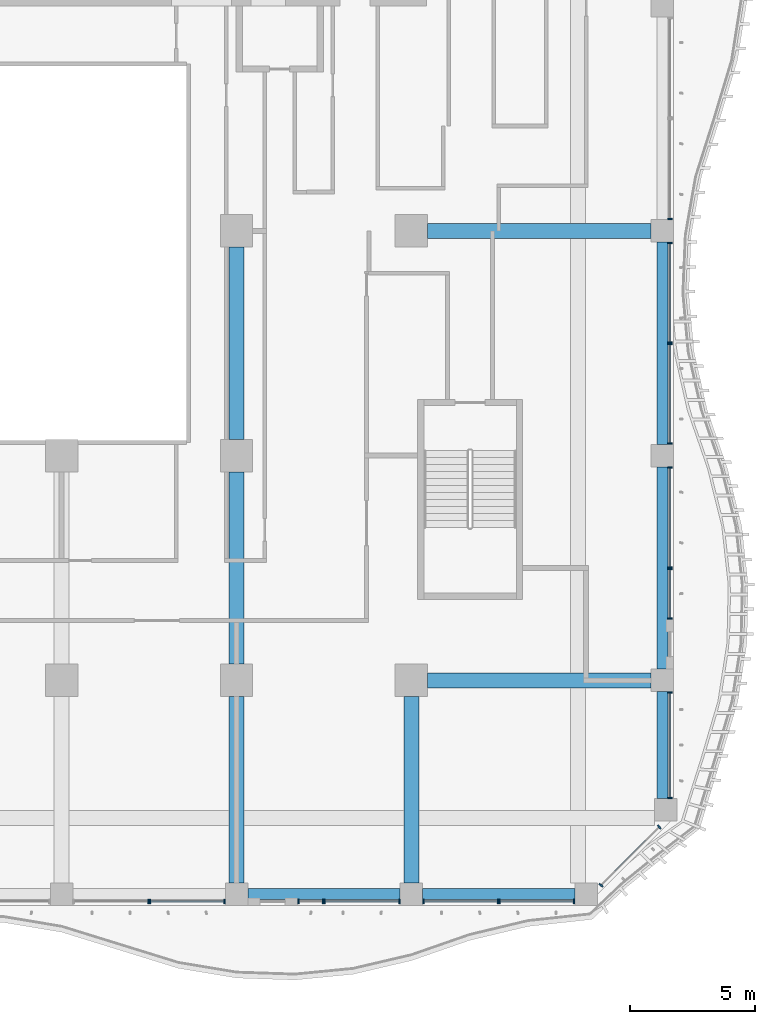
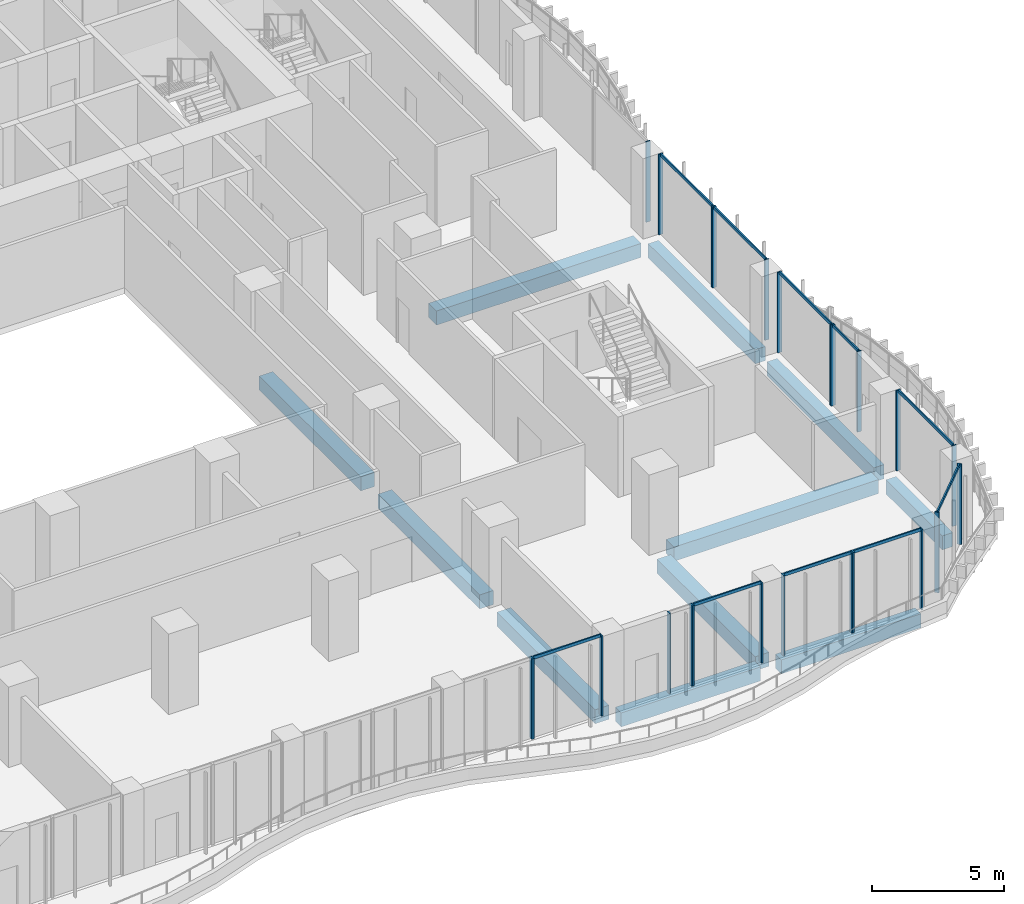
# One storey, part 6 of 27: 34 members, 11 beams, 13 elements without a shape of their own.
"""IFC4 building model written with IfcOpenShell, lengths in metres."""

from ifc_helpers import new_model, si_unit, direction, frame, origin, origin_2d, place, context, subcontext, project, spatial, rectangle, extrude, source, transform, mapped, material, material_profile, profile_set, type_object, element, aggregate, save


model = new_model("IFC4")

# Units and contexts
model_context = context("Model", 3, precision=1e-05, world=origin(), true_north=direction((0.0, 1.0)))
body_context = subcontext(model_context, "Body", "Model", "MODEL_VIEW")
ifc_project = project(units=[si_unit("LENGTHUNIT", "METRE"), si_unit("AREAUNIT", "SQUARE_METRE"), si_unit("VOLUMEUNIT", "CUBIC_METRE"), si_unit("PLANEANGLEUNIT", "RADIAN"), si_unit("MASSUNIT", "GRAM", prefix="KILO")], contexts=[model_context])

# Site, building, storey
site_placement = place(None, origin())
site = spatial("IfcSite", under=ifc_project, at=site_placement, CompositionType="ELEMENT")
building_placement = place(site_placement, origin())
building = spatial("IfcBuilding", under=site, at=building_placement, Name="Kilnfold Tower and Market Hall", CompositionType="ELEMENT")
storey_placement = place(building_placement, frame((0.0, 0.0, 43.0)))
storey = spatial("IfcBuildingStorey", under=building, at=storey_placement, Name="L09", CompositionType="ELEMENT", Elevation=43.0)

# Beams
ifc_material_1 = material(Name="Concrete C45", Category="concrete")
ifc_material_profile_1 = material_profile(ifc_material_1, rectangle(XDim=0.449951171875, YDim=0.64990234375, at=origin_2d()), Name="RC 450x650")
ifc_profile_set_1 = profile_set([ifc_material_profile_1], Name="Concrete C45")
beam_type_1 = type_object("IfcBeamType", Name="EDGE BEAM 450X650 C45", PredefinedType="BEAM", material=ifc_profile_set_1)
shared_shape_1 = source(origin(), body_context, "Body", "SweptSolid", [
    extrude(rectangle(XDim=0.449951171875, YDim=0.64990234375, at=origin_2d()), origin(), (0.0, 0.0, 1.0), 6.10009765625),
])
for number, where, z_axis, x_axis, name in (
    (1, (10.949951171875, -27.550048828125, -0.60498046875), (1.0, 0.0, 0.0), (0.0, 1.0, 0.0), "Beam EB650-B1.5"),
    (2, (17.949951171875, -27.550048828125, -0.60498046875), (1.0, 0.0, 0.0), (0.0, 1.0, 0.0), "Beam EB650-B1.6"),
):
    element("IfcBeam", number, at=place(storey_placement, frame(where, z_axis=z_axis, x_axis=x_axis)), inside=storey, type_object=beam_type_1, Name=name, PredefinedType="BEAM", context=body_context, shape_type="MappedRepresentation", body=[
        mapped(shared_shape_1, transform((0.0, 0.0, 0.0))),
    ])
ifc_material_2 = material(Name="Concrete C45", Category="concrete")
ifc_material_profile_2 = material_profile(ifc_material_2, rectangle(XDim=0.60009765625, YDim=0.64990234375, at=origin_2d()), Name="RC 600x650")
ifc_profile_set_2 = profile_set([ifc_material_profile_2], Name="Concrete C45")
beam_type_2 = type_object("IfcBeamType", Name="BEAM 600X650 C45", PredefinedType="BEAM", material=ifc_profile_set_2)
shared_shape_2 = source(origin(), body_context, "Body", "SweptSolid", [
    extrude(rectangle(XDim=0.60009765625, YDim=0.64990234375, at=origin_2d()), origin(), (0.0, 0.0, 1.0), 8.9501953125),
])
for number, where, z_axis, x_axis, name in (
    (3, (18.14990234375, -19.0, -0.60498046875), (1.0, 0.0, 0.0), (0.0, 1.0, 0.0), "Beam BB650-B1.12"),
    (4, (18.14990234375, -1.0, -0.60498046875), (1.0, 0.0, 0.0), (0.0, 1.0, 0.0), "Beam BB650-B1.20"),
):
    element("IfcBeam", number, at=place(storey_placement, frame(where, z_axis=z_axis, x_axis=x_axis)), inside=storey, type_object=beam_type_2, Name=name, PredefinedType="BEAM", context=body_context, shape_type="MappedRepresentation", body=[
        mapped(shared_shape_2, transform((0.0, 0.0, 0.0))),
    ])
shared_shape_3 = source(origin(), body_context, "Body", "SweptSolid", [
    extrude(rectangle(XDim=0.449951171875, YDim=0.64990234375, at=origin_2d()), origin(), (0.0, 0.0, 1.0), 8.10009765625),
])
for number, where, z_axis, x_axis, name in (
    (5, (27.550048828125, -18.550048828125, -0.60498046875), (0.0, 1.0, 0.0), (-1.0, 0.0, 0.0), "Beam EB650-B1.52"),
    (6, (27.550048828125, -9.550048828125, -0.60498046875), (0.0, 1.0, 0.0), (-1.0, 0.0, 0.0), "Beam EB650-B1.58"),
):
    element("IfcBeam", number, at=place(storey_placement, frame(where, z_axis=z_axis, x_axis=x_axis)), inside=storey, type_object=beam_type_1, Name=name, PredefinedType="BEAM", context=body_context, shape_type="MappedRepresentation", body=[
        mapped(shared_shape_3, transform((0.0, 0.0, 0.0))),
    ])
shared_shape_4 = source(origin(), body_context, "Body", "SweptSolid", [
    extrude(rectangle(XDim=0.60009765625, YDim=0.64990234375, at=origin_2d()), origin(), (0.0, 0.0, 1.0), 7.4501953125),
])
for number, where, z_axis, x_axis, name in (
    (7, (10.5, -27.10009765625, -0.60498046875), (0.0, 1.0, 0.0), (-1.0, 0.0, 0.0), "Beam BB650-B1.47"),
    (8, (17.5, -27.10009765625, -0.60498046875), (0.0, 1.0, 0.0), (-1.0, 0.0, 0.0), "Beam BB650-B1.50"),
):
    element("IfcBeam", number, at=place(storey_placement, frame(where, z_axis=z_axis, x_axis=x_axis)), inside=storey, type_object=beam_type_2, Name=name, PredefinedType="BEAM", context=body_context, shape_type="MappedRepresentation", body=[
        mapped(shared_shape_4, transform((0.0, 0.0, 0.0))),
    ])
shared_shape_5 = source(origin(), body_context, "Body", "SweptSolid", [
    extrude(rectangle(XDim=0.60009765625, YDim=0.64990234375, at=origin_2d()), origin(), (0.0, 0.0, 1.0), 7.7001953125),
])
for number, where, z_axis, x_axis, name in (
    (9, (10.5, -18.35009765625, -0.60498046875), (0.0, 1.0, 0.0), (-1.0, 0.0, 0.0), "Beam BB650-B1.48"),
    (10, (10.5, -9.35009765625, -0.60498046875), (0.0, 1.0, 0.0), (-1.0, 0.0, 0.0), "Beam BB650-B1.49"),
):
    element("IfcBeam", number, at=place(storey_placement, frame(where, z_axis=z_axis, x_axis=x_axis)), inside=storey, type_object=beam_type_2, Name=name, PredefinedType="BEAM", context=body_context, shape_type="MappedRepresentation", body=[
        mapped(shared_shape_5, transform((0.0, 0.0, 0.0))),
    ])
shared_shape_6 = source(origin(), body_context, "Body", "SweptSolid", [
    extrude(rectangle(XDim=0.449951171875, YDim=0.64990234375, at=origin_2d()), origin(), (0.0, 0.0, 1.0), 4.28173828125),
])
beam_placement = place(storey_placement, frame((27.550048828125, -23.731689453125, -0.60498046875), z_axis=(0.0, 1.0, 0.0), x_axis=(-1.0, 0.0, 0.0)))
element("IfcBeam", 11, at=beam_placement, inside=storey, type_object=beam_type_1, Name="Beam EB650-B1.51", PredefinedType="BEAM", context=body_context, shape_type="MappedRepresentation", body=[
    mapped(shared_shape_6, transform((0.0, 0.0, 0.0))),
])

# Curtain wall, member
ifc_material_3 = material(Name="Aluminium and double glazing", Category="aluminium")
curtain_wall_type = type_object("IfcCurtainWallType", Name="CW OF1 VALLEY GLAZING", PredefinedType="NOTDEFINED", material=ifc_material_3)
curtain_wall_1_placement = place(storey_placement, origin())
curtain_wall_1 = element("IfcCurtainWall", 12, at=curtain_wall_1_placement, inside=storey, type_object=curtain_wall_type, Name="Curtain wall CW1 L09 S", PredefinedType="NOTDEFINED")
ifc_material_4 = material(Name="Aluminium", Category="aluminium")
ifc_material_profile_3 = material_profile(ifc_material_4, rectangle(XDim=0.06005859375, YDim=0.179931640625, at=origin_2d()), Name="MULLION 60x180")
ifc_profile_set_3 = profile_set([ifc_material_profile_3], Name="Aluminium")
member_type_1 = type_object("IfcMemberType", Name="MULLION 60X180", PredefinedType="MULLION", material=ifc_profile_set_3)
shared_shape_7 = source(origin(), body_context, "Body", "SweptSolid", [
    extrude(rectangle(XDim=0.06005859375, YDim=0.179931640625, at=origin_2d()), origin(), (0.0, 0.0, 1.0), 3.719970703125),
])
member_1_placement = place(storey_placement, frame((6.969970703125, -27.85009765625, 0.0), z_axis=(0.0, 0.0, 1.0), x_axis=(1.0, 0.0, 0.0)))
member_1 = element("IfcMember", 13, at=member_1_placement, type_object=member_type_1, Name="CW1 mullion 2", PredefinedType="MULLION", context=body_context, shape_type="MappedRepresentation", body=[
    mapped(shared_shape_7, transform((0.0, 0.0, 0.0))),
])
aggregate(curtain_wall_1, [member_1])

# Curtain wall, members
curtain_wall_2_placement = place(storey_placement, origin())
curtain_wall_2 = element("IfcCurtainWall", 14, at=curtain_wall_2_placement, inside=storey, type_object=curtain_wall_type, Name="Curtain wall CW1 L09 S", PredefinedType="NOTDEFINED")
member_2_placement = place(storey_placement, frame((7.030029296875, -27.85009765625, 0.0), z_axis=(0.0, 0.0, 1.0), x_axis=(1.0, 0.0, 0.0)))
member_2 = element("IfcMember", 15, at=member_2_placement, type_object=member_type_1, Name="CW1 mullion 1", PredefinedType="MULLION", context=body_context, shape_type="MappedRepresentation", body=[
    mapped(shared_shape_7, transform((0.0, 0.0, 0.0))),
])
member_3_placement = place(storey_placement, frame((10.02001953125, -27.85009765625, 0.0), z_axis=(0.0, 0.0, 1.0), x_axis=(1.0, 0.0, 0.0)))
member_3 = element("IfcMember", 16, at=member_3_placement, type_object=member_type_1, Name="CW1 mullion 2", PredefinedType="MULLION", context=body_context, shape_type="MappedRepresentation", body=[
    mapped(shared_shape_7, transform((0.0, 0.0, 0.0))),
])

curtain_wall_3_placement = place(storey_placement, origin())
curtain_wall_3 = element("IfcCurtainWall", 17, at=curtain_wall_3_placement, inside=storey, type_object=curtain_wall_type, Name="Curtain wall CW1 L09 S", PredefinedType="NOTDEFINED")
member_4_placement = place(storey_placement, frame((12.97998046875, -27.85009765625, 0.0), z_axis=(0.0, 0.0, 1.0), x_axis=(1.0, 0.0, 0.0)))
member_4 = element("IfcMember", 18, at=member_4_placement, type_object=member_type_1, Name="CW1 mullion 1", PredefinedType="MULLION", context=body_context, shape_type="MappedRepresentation", body=[
    mapped(shared_shape_7, transform((0.0, 0.0, 0.0))),
])
member_5_placement = place(storey_placement, frame((13.969970703125, -27.85009765625, 0.0), z_axis=(0.0, 0.0, 1.0), x_axis=(1.0, 0.0, 0.0)))
member_5 = element("IfcMember", 19, at=member_5_placement, type_object=member_type_1, Name="CW1 mullion 2", PredefinedType="MULLION", context=body_context, shape_type="MappedRepresentation", body=[
    mapped(shared_shape_7, transform((0.0, 0.0, 0.0))),
])
aggregate(curtain_wall_3, [member_4, member_5])

curtain_wall_4_placement = place(storey_placement, origin())
curtain_wall_4 = element("IfcCurtainWall", 20, at=curtain_wall_4_placement, inside=storey, type_object=curtain_wall_type, Name="Curtain wall CW1 L09 S", PredefinedType="NOTDEFINED")
member_6_placement = place(storey_placement, frame((14.030029296875, -27.85009765625, 0.0), z_axis=(0.0, 0.0, 1.0), x_axis=(1.0, 0.0, 0.0)))
member_6 = element("IfcMember", 21, at=member_6_placement, type_object=member_type_1, Name="CW1 mullion 1", PredefinedType="MULLION", context=body_context, shape_type="MappedRepresentation", body=[
    mapped(shared_shape_7, transform((0.0, 0.0, 0.0))),
])
member_7_placement = place(storey_placement, frame((17.02001953125, -27.85009765625, 0.0), z_axis=(0.0, 0.0, 1.0), x_axis=(1.0, 0.0, 0.0)))
member_7 = element("IfcMember", 22, at=member_7_placement, type_object=member_type_1, Name="CW1 mullion 2", PredefinedType="MULLION", context=body_context, shape_type="MappedRepresentation", body=[
    mapped(shared_shape_7, transform((0.0, 0.0, 0.0))),
])

curtain_wall_5_placement = place(storey_placement, origin())
curtain_wall_5 = element("IfcCurtainWall", 23, at=curtain_wall_5_placement, inside=storey, type_object=curtain_wall_type, Name="Curtain wall CW1 L09 S", PredefinedType="NOTDEFINED")
member_8_placement = place(storey_placement, frame((17.97998046875, -27.85009765625, 0.0), z_axis=(0.0, 0.0, 1.0), x_axis=(1.0, 0.0, 0.0)))
member_8 = element("IfcMember", 24, at=member_8_placement, type_object=member_type_1, Name="CW1 mullion 1", PredefinedType="MULLION", context=body_context, shape_type="MappedRepresentation", body=[
    mapped(shared_shape_7, transform((0.0, 0.0, 0.0))),
])
member_9_placement = place(storey_placement, frame((20.969970703125, -27.85009765625, 0.0), z_axis=(0.0, 0.0, 1.0), x_axis=(1.0, 0.0, 0.0)))
member_9 = element("IfcMember", 25, at=member_9_placement, type_object=member_type_1, Name="CW1 mullion 2", PredefinedType="MULLION", context=body_context, shape_type="MappedRepresentation", body=[
    mapped(shared_shape_7, transform((0.0, 0.0, 0.0))),
])

curtain_wall_6_placement = place(storey_placement, origin())
curtain_wall_6 = element("IfcCurtainWall", 26, at=curtain_wall_6_placement, inside=storey, type_object=curtain_wall_type, Name="Curtain wall CW1 L09 S", PredefinedType="NOTDEFINED")
member_10_placement = place(storey_placement, frame((21.030029296875, -27.85009765625, 0.0), z_axis=(0.0, 0.0, 1.0), x_axis=(1.0, 0.0, 0.0)))
member_10 = element("IfcMember", 27, at=member_10_placement, type_object=member_type_1, Name="CW1 mullion 1", PredefinedType="MULLION", context=body_context, shape_type="MappedRepresentation", body=[
    mapped(shared_shape_7, transform((0.0, 0.0, 0.0))),
])
member_11_placement = place(storey_placement, frame((24.02001953125, -27.85009765625, 0.0), z_axis=(0.0, 0.0, 1.0), x_axis=(1.0, 0.0, 0.0)))
member_11 = element("IfcMember", 28, at=member_11_placement, type_object=member_type_1, Name="CW1 mullion 2", PredefinedType="MULLION", context=body_context, shape_type="MappedRepresentation", body=[
    mapped(shared_shape_7, transform((0.0, 0.0, 0.0))),
])

curtain_wall_7_placement = place(storey_placement, origin())
curtain_wall_7 = element("IfcCurtainWall", 29, at=curtain_wall_7_placement, inside=storey, type_object=curtain_wall_type, Name="Curtain wall CW1 L09 SE", PredefinedType="NOTDEFINED")
member_12_placement = place(storey_placement, frame((25.090087890625, -27.19775390625, 0.0), z_axis=(0.0, 0.0, 1.0), x_axis=(0.707121667181, 0.707091894879, 0.0)))
member_12 = element("IfcMember", 30, at=member_12_placement, type_object=member_type_1, Name="CW1 mullion 1", PredefinedType="MULLION", context=body_context, shape_type="MappedRepresentation", body=[
    mapped(shared_shape_7, transform((0.0, 0.0, 0.0))),
])
member_13_placement = place(storey_placement, frame((27.4228515625, -24.865234375, 0.0), z_axis=(0.0, 0.0, 1.0), x_axis=(0.707121667181, 0.707091894879, 0.0)))
member_13 = element("IfcMember", 31, at=member_13_placement, type_object=member_type_1, Name="CW1 mullion 2", PredefinedType="MULLION", context=body_context, shape_type="MappedRepresentation", body=[
    mapped(shared_shape_7, transform((0.0, 0.0, 0.0))),
])

curtain_wall_8_placement = place(storey_placement, origin())
curtain_wall_8 = element("IfcCurtainWall", 32, at=curtain_wall_8_placement, inside=storey, type_object=curtain_wall_type, Name="Curtain wall CW1 L09 E", PredefinedType="NOTDEFINED")
member_14_placement = place(storey_placement, frame((27.85009765625, -23.701904296875, 0.0), z_axis=(0.0, 0.0, 1.0), x_axis=(0.0, 1.0, 0.0)))
member_14 = element("IfcMember", 33, at=member_14_placement, type_object=member_type_1, Name="CW1 mullion 1", PredefinedType="MULLION", context=body_context, shape_type="MappedRepresentation", body=[
    mapped(shared_shape_7, transform((0.0, 0.0, 0.0))),
])
member_15_placement = place(storey_placement, frame((27.85009765625, -19.47998046875, 0.0), z_axis=(0.0, 0.0, 1.0), x_axis=(0.0, 1.0, 0.0)))
member_15 = element("IfcMember", 34, at=member_15_placement, type_object=member_type_1, Name="CW1 mullion 2", PredefinedType="MULLION", context=body_context, shape_type="MappedRepresentation", body=[
    mapped(shared_shape_7, transform((0.0, 0.0, 0.0))),
])

curtain_wall_9_placement = place(storey_placement, origin())
curtain_wall_9 = element("IfcCurtainWall", 35, at=curtain_wall_9_placement, inside=storey, type_object=curtain_wall_type, Name="Curtain wall CW1 L09 E", PredefinedType="NOTDEFINED")
member_16_placement = place(storey_placement, frame((27.85009765625, -16.52001953125, 0.0), z_axis=(0.0, 0.0, 1.0), x_axis=(0.0, 1.0, 0.0)))
member_16 = element("IfcMember", 36, at=member_16_placement, type_object=member_type_1, Name="CW1 mullion 1", PredefinedType="MULLION", context=body_context, shape_type="MappedRepresentation", body=[
    mapped(shared_shape_7, transform((0.0, 0.0, 0.0))),
])
member_17_placement = place(storey_placement, frame((27.85009765625, -14.530029296875, 0.0), z_axis=(0.0, 0.0, 1.0), x_axis=(0.0, 1.0, 0.0)))
member_17 = element("IfcMember", 37, at=member_17_placement, type_object=member_type_1, Name="CW1 mullion 2", PredefinedType="MULLION", context=body_context, shape_type="MappedRepresentation", body=[
    mapped(shared_shape_7, transform((0.0, 0.0, 0.0))),
])

curtain_wall_10_placement = place(storey_placement, origin())
curtain_wall_10 = element("IfcCurtainWall", 38, at=curtain_wall_10_placement, inside=storey, type_object=curtain_wall_type, Name="Curtain wall CW1 L09 E", PredefinedType="NOTDEFINED")
member_18_placement = place(storey_placement, frame((27.85009765625, -14.469970703125, 0.0), z_axis=(0.0, 0.0, 1.0), x_axis=(0.0, 1.0, 0.0)))
member_18 = element("IfcMember", 39, at=member_18_placement, type_object=member_type_1, Name="CW1 mullion 1", PredefinedType="MULLION", context=body_context, shape_type="MappedRepresentation", body=[
    mapped(shared_shape_7, transform((0.0, 0.0, 0.0))),
])
member_19_placement = place(storey_placement, frame((27.85009765625, -10.47998046875, 0.0), z_axis=(0.0, 0.0, 1.0), x_axis=(0.0, 1.0, 0.0)))
member_19 = element("IfcMember", 40, at=member_19_placement, type_object=member_type_1, Name="CW1 mullion 2", PredefinedType="MULLION", context=body_context, shape_type="MappedRepresentation", body=[
    mapped(shared_shape_7, transform((0.0, 0.0, 0.0))),
])

curtain_wall_11_placement = place(storey_placement, origin())
curtain_wall_11 = element("IfcCurtainWall", 41, at=curtain_wall_11_placement, inside=storey, type_object=curtain_wall_type, Name="Curtain wall CW1 L09 E", PredefinedType="NOTDEFINED")
member_20_placement = place(storey_placement, frame((27.85009765625, -9.52001953125, 0.0), z_axis=(0.0, 0.0, 1.0), x_axis=(0.0, 1.0, 0.0)))
member_20 = element("IfcMember", 42, at=member_20_placement, type_object=member_type_1, Name="CW1 mullion 1", PredefinedType="MULLION", context=body_context, shape_type="MappedRepresentation", body=[
    mapped(shared_shape_7, transform((0.0, 0.0, 0.0))),
])
member_21_placement = place(storey_placement, frame((27.85009765625, -5.530029296875, 0.0), z_axis=(0.0, 0.0, 1.0), x_axis=(0.0, 1.0, 0.0)))
member_21 = element("IfcMember", 43, at=member_21_placement, type_object=member_type_1, Name="CW1 mullion 2", PredefinedType="MULLION", context=body_context, shape_type="MappedRepresentation", body=[
    mapped(shared_shape_7, transform((0.0, 0.0, 0.0))),
])

curtain_wall_12_placement = place(storey_placement, origin())
curtain_wall_12 = element("IfcCurtainWall", 44, at=curtain_wall_12_placement, inside=storey, type_object=curtain_wall_type, Name="Curtain wall CW1 L09 E", PredefinedType="NOTDEFINED")
member_22_placement = place(storey_placement, frame((27.85009765625, -5.469970703125, 0.0), z_axis=(0.0, 0.0, 1.0), x_axis=(0.0, 1.0, 0.0)))
member_22 = element("IfcMember", 45, at=member_22_placement, type_object=member_type_1, Name="CW1 mullion 1", PredefinedType="MULLION", context=body_context, shape_type="MappedRepresentation", body=[
    mapped(shared_shape_7, transform((0.0, 0.0, 0.0))),
])
member_23_placement = place(storey_placement, frame((27.85009765625, -1.47998046875, 0.0), z_axis=(0.0, 0.0, 1.0), x_axis=(0.0, 1.0, 0.0)))
member_23 = element("IfcMember", 46, at=member_23_placement, type_object=member_type_1, Name="CW1 mullion 2", PredefinedType="MULLION", context=body_context, shape_type="MappedRepresentation", body=[
    mapped(shared_shape_7, transform((0.0, 0.0, 0.0))),
])

# Curtain wall, member
curtain_wall_13_placement = place(storey_placement, origin())
curtain_wall_13 = element("IfcCurtainWall", 47, at=curtain_wall_13_placement, inside=storey, type_object=curtain_wall_type, Name="Curtain wall CW1 L09 E", PredefinedType="NOTDEFINED")
member_24_placement = place(storey_placement, frame((27.85009765625, -0.52001953125, 0.0), z_axis=(0.0, 0.0, 1.0), x_axis=(0.0, 1.0, 0.0)))
member_24 = element("IfcMember", 48, at=member_24_placement, type_object=member_type_1, Name="CW1 mullion 1", PredefinedType="MULLION", context=body_context, shape_type="MappedRepresentation", body=[
    mapped(shared_shape_7, transform((0.0, 0.0, 0.0))),
])
aggregate(curtain_wall_13, [member_24])

# Member
ifc_material_5 = material(Name="Aluminium", Category="aluminium")
ifc_material_profile_4 = material_profile(ifc_material_5, rectangle(XDim=0.06005859375, YDim=0.139892578125, at=origin_2d()), Name="TRANSOM 60x140")
ifc_profile_set_4 = profile_set([ifc_material_profile_4], Name="Aluminium")
member_type_2 = type_object("IfcMemberType", Name="TRANSOM 60X140", PredefinedType="USERDEFINED", material=ifc_profile_set_4)
shared_shape_8 = source(origin(), body_context, "Body", "SweptSolid", [
    extrude(rectangle(XDim=0.06005859375, YDim=0.139892578125, at=origin_2d()), origin(), (0.0, 0.0, 1.0), 2.929931640625),
])
member_25_placement = place(storey_placement, frame((7.06005859375, -27.85009765625, 3.68994140625), z_axis=(1.0, 0.0, 0.0), x_axis=(0.0, 1.0, 0.0)))
member_25 = element("IfcMember", 49, at=member_25_placement, type_object=member_type_2, Name="CW1 transom 1.2", ObjectType="TRANSOM", PredefinedType="USERDEFINED", context=body_context, shape_type="MappedRepresentation", body=[
    mapped(shared_shape_8, transform((0.0, 0.0, 0.0))),
])

aggregate(curtain_wall_2, [member_2, member_3, member_25])

member_26_placement = place(storey_placement, frame((14.06005859375, -27.85009765625, 3.68994140625), z_axis=(1.0, 0.0, 0.0), x_axis=(0.0, 1.0, 0.0)))
member_26 = element("IfcMember", 50, at=member_26_placement, type_object=member_type_2, Name="CW1 transom 1.2", ObjectType="TRANSOM", PredefinedType="USERDEFINED", context=body_context, shape_type="MappedRepresentation", body=[
    mapped(shared_shape_8, transform((0.0, 0.0, 0.0))),
])

aggregate(curtain_wall_4, [member_6, member_7, member_26])

member_27_placement = place(storey_placement, frame((18.010009765625, -27.85009765625, 3.68994140625), z_axis=(1.0, 0.0, 0.0), x_axis=(0.0, 1.0, 0.0)))
member_27 = element("IfcMember", 51, at=member_27_placement, type_object=member_type_2, Name="CW1 transom 1.2", ObjectType="TRANSOM", PredefinedType="USERDEFINED", context=body_context, shape_type="MappedRepresentation", body=[
    mapped(shared_shape_8, transform((0.0, 0.0, 0.0))),
])

aggregate(curtain_wall_5, [member_8, member_9, member_27])

member_28_placement = place(storey_placement, frame((21.06005859375, -27.85009765625, 3.68994140625), z_axis=(1.0, 0.0, 0.0), x_axis=(0.0, 1.0, 0.0)))
member_28 = element("IfcMember", 52, at=member_28_placement, type_object=member_type_2, Name="CW1 transom 1.2", ObjectType="TRANSOM", PredefinedType="USERDEFINED", context=body_context, shape_type="MappedRepresentation", body=[
    mapped(shared_shape_8, transform((0.0, 0.0, 0.0))),
])

aggregate(curtain_wall_6, [member_10, member_11, member_28])

shared_shape_9 = source(origin(), body_context, "Body", "SweptSolid", [
    extrude(rectangle(XDim=0.06005859375, YDim=0.139892578125, at=origin_2d()), origin(), (0.0, 0.0, 1.0), 3.929931640625),
])
member_29_placement = place(storey_placement, frame((27.85009765625, -14.43994140625, 3.68994140625), z_axis=(0.0, 1.0, 0.0), x_axis=(-1.0, 0.0, 0.0)))
member_29 = element("IfcMember", 53, at=member_29_placement, type_object=member_type_2, Name="CW1 transom 1.2", ObjectType="TRANSOM", PredefinedType="USERDEFINED", context=body_context, shape_type="MappedRepresentation", body=[
    mapped(shared_shape_9, transform((0.0, 0.0, 0.0))),
])

aggregate(curtain_wall_10, [member_18, member_19, member_29])

member_30_placement = place(storey_placement, frame((27.85009765625, -9.489990234375, 3.68994140625), z_axis=(0.0, 1.0, 0.0), x_axis=(-1.0, 0.0, 0.0)))
member_30 = element("IfcMember", 54, at=member_30_placement, type_object=member_type_2, Name="CW1 transom 1.2", ObjectType="TRANSOM", PredefinedType="USERDEFINED", context=body_context, shape_type="MappedRepresentation", body=[
    mapped(shared_shape_9, transform((0.0, 0.0, 0.0))),
])

aggregate(curtain_wall_11, [member_20, member_21, member_30])

member_31_placement = place(storey_placement, frame((27.85009765625, -5.43994140625, 3.68994140625), z_axis=(0.0, 1.0, 0.0), x_axis=(-1.0, 0.0, 0.0)))
member_31 = element("IfcMember", 55, at=member_31_placement, type_object=member_type_2, Name="CW1 transom 1.2", ObjectType="TRANSOM", PredefinedType="USERDEFINED", context=body_context, shape_type="MappedRepresentation", body=[
    mapped(shared_shape_9, transform((0.0, 0.0, 0.0))),
])

aggregate(curtain_wall_12, [member_22, member_23, member_31])

shared_shape_10 = source(origin(), body_context, "Body", "SweptSolid", [
    extrude(rectangle(XDim=0.06005859375, YDim=0.139892578125, at=origin_2d()), origin(), (0.0, 0.0, 1.0), 1.929931640625),
])
member_32_placement = place(storey_placement, frame((27.85009765625, -16.489990234375, 3.68994140625), z_axis=(0.0, 1.0, 0.0), x_axis=(-1.0, 0.0, 0.0)))
member_32 = element("IfcMember", 56, at=member_32_placement, type_object=member_type_2, Name="CW1 transom 1.2", ObjectType="TRANSOM", PredefinedType="USERDEFINED", context=body_context, shape_type="MappedRepresentation", body=[
    mapped(shared_shape_10, transform((0.0, 0.0, 0.0))),
])

aggregate(curtain_wall_9, [member_16, member_17, member_32])

shared_shape_11 = source(origin(), body_context, "Body", "SweptSolid", [
    extrude(rectangle(XDim=0.06005859375, YDim=0.139892578125, at=origin_2d()), origin(), (0.0, 0.0, 1.0), 4.161865234375),
])
member_33_placement = place(storey_placement, frame((27.85009765625, -23.671875, 3.68994140625), z_axis=(0.0, 1.0, 0.0), x_axis=(-1.0, 0.0, 0.0)))
member_33 = element("IfcMember", 57, at=member_33_placement, type_object=member_type_2, Name="CW1 transom 1.2", ObjectType="TRANSOM", PredefinedType="USERDEFINED", context=body_context, shape_type="MappedRepresentation", body=[
    mapped(shared_shape_11, transform((0.0, 0.0, 0.0))),
])

aggregate(curtain_wall_8, [member_14, member_15, member_33])

shared_shape_12 = source(origin(), body_context, "Body", "SweptSolid", [
    extrude(rectangle(XDim=0.06005859375, YDim=0.139892578125, at=origin_2d()), origin(), (0.0, 0.0, 1.0), 3.239013671875),
])
member_34_placement = place(storey_placement, frame((25.111328125, -27.176513671875, 3.68994140625), z_axis=(0.707106781187, 0.707106781187, 0.0), x_axis=(-0.707106781187, 0.707106781187, 0.0)))
member_34 = element("IfcMember", 58, at=member_34_placement, type_object=member_type_2, Name="CW1 transom 1.2", ObjectType="TRANSOM", PredefinedType="USERDEFINED", context=body_context, shape_type="MappedRepresentation", body=[
    mapped(shared_shape_12, transform((0.0, 0.0, 0.0))),
])

aggregate(curtain_wall_7, [member_12, member_13, member_34])

save(model, "model.ifc")
